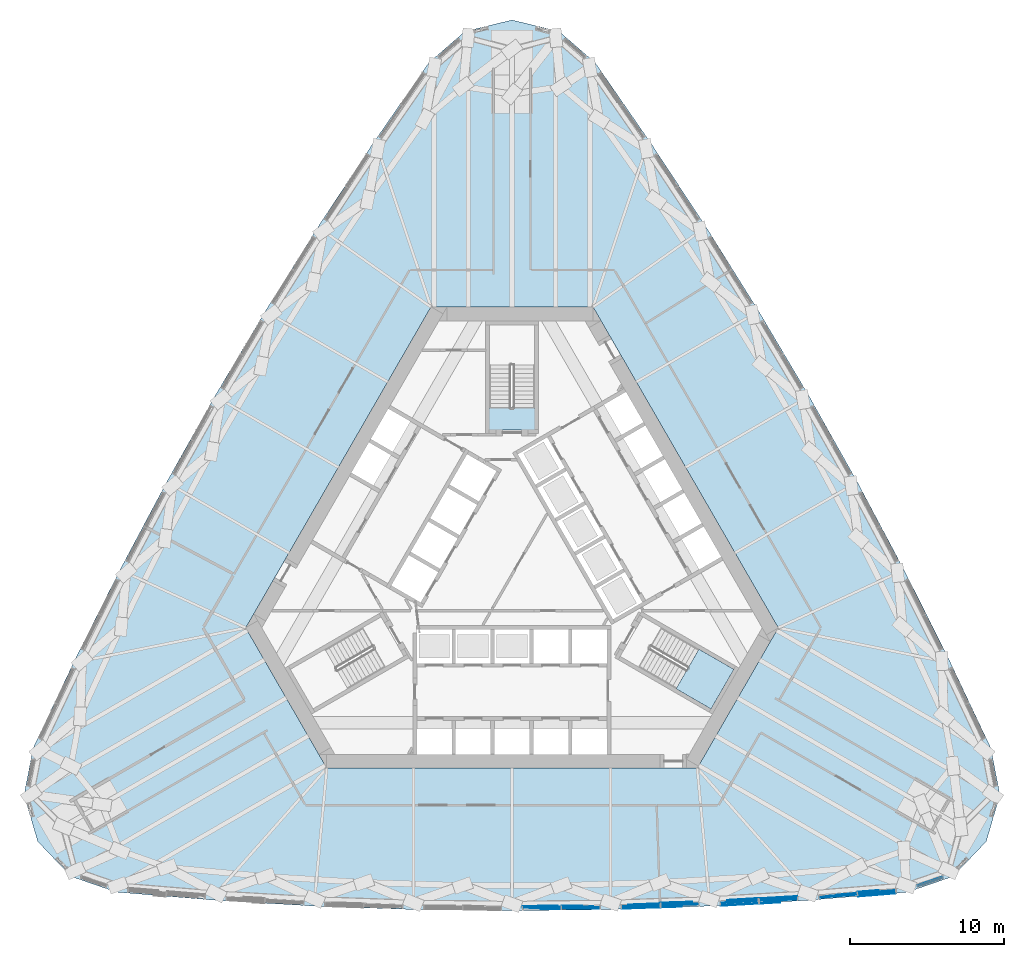
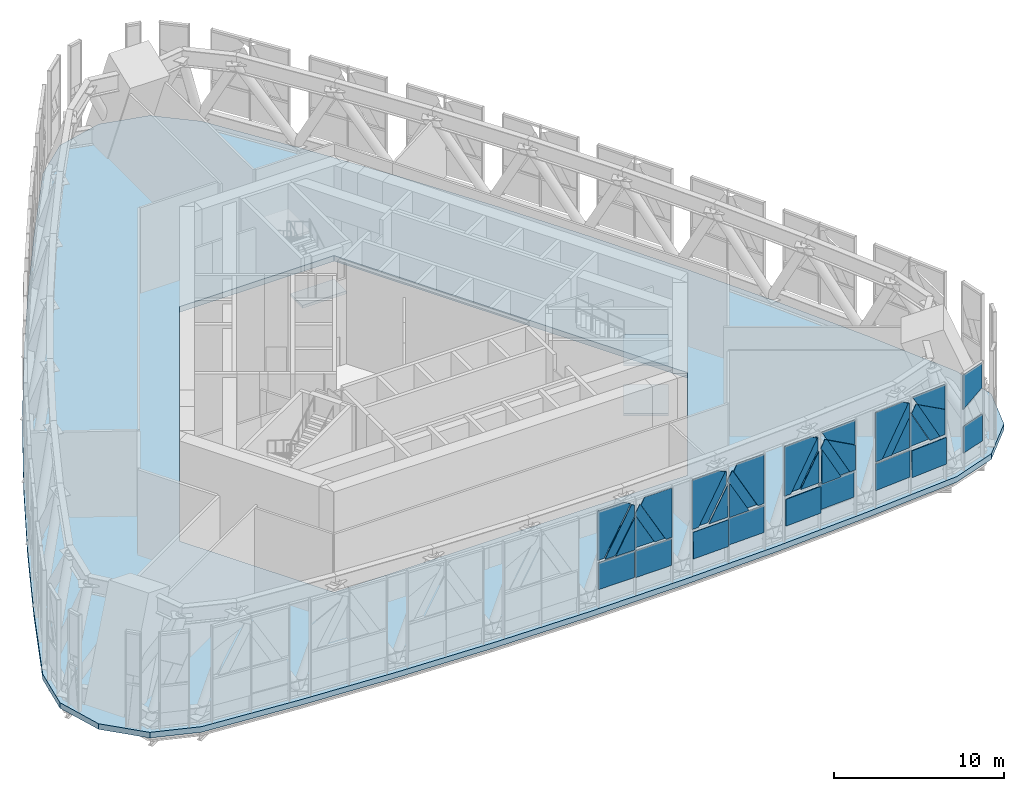
# One storey, part 14 of 33: 36 plates, 4 slabs, 4 elements without a shape of their own.
"""IFC4 building model written with IfcOpenShell, lengths in metres."""

import ifcopenshell
import ifcopenshell.guid

model = None  # the IFC model being written
_history = None  # IfcOwnerHistory: only IFC2X3 demands one
_inside = {}  # id of a spatial element -> (the spatial element, [elements in it])
_under = {}  # id of a project, library or spatial element -> (it, [spatial elements below it])
_declared = {}  # id of a project -> (the project, [libraries it declares])
_typed = {}  # id of a type object -> (the type object, [elements of that type])
_made_of = {}  # id of a material, layer set ... -> (it, [elements and type objects made of it])


def new_model(schema):
    """Start an empty IFC model of exactly this schema.

    Asked for "IFC4X3", IfcOpenShell would pick the latest addendum, in which some entities
    have other attributes; the version numbers below select the first issue.
    IFC2X3 requires an IfcOwnerHistory on every rooted entity: one is made here for all.
    """
    global model, _history
    if schema == "IFC4X3":
        model = ifcopenshell.file(schema_version=(4, 3, 0, 0))
    else:
        model = ifcopenshell.file(schema=schema)
    _inside.clear()
    _under.clear()
    _declared.clear()
    _typed.clear()
    _made_of.clear()
    _history = None
    if model.schema == "IFC2X3":
        org = make("IfcOrganization", Name="unknown")
        user = make(
            "IfcPersonAndOrganization",
            ThePerson=make("IfcPerson", FamilyName="unknown"),
            TheOrganization=org,
        )
        app = make(
            "IfcApplication",
            ApplicationDeveloper=org,
            Version="unknown",
            ApplicationFullName="unknown",
            ApplicationIdentifier="unknown",
        )
        _history = make(
            "IfcOwnerHistory",
            OwningUser=user,
            OwningApplication=app,
            ChangeAction="ADDED",
            CreationDate=0,
        )
    return model


def make(cls, **values):
    """One entity of the class cls with the attributes given. An attribute that is None is left unset."""
    return model.create_entity(
        cls, **{name: value for name, value in values.items() if value is not None}
    )


def rooted(cls, **values):
    """An entity with a GlobalId (a new one), such as an element, a storey or a relation."""
    return make(cls, GlobalId=ifcopenshell.guid.new(), OwnerHistory=_history, **values)


def si_unit(unit_type, name, prefix=None):
    """IfcSIUnit, for example si_unit("LENGTHUNIT", "METRE", prefix="MILLI")."""
    return make("IfcSIUnit", UnitType=unit_type, Prefix=prefix, Name=name)


def assignment(units):
    """IfcUnitAssignment: the units of a project."""
    return None if units is None else make("IfcUnitAssignment", Units=units)


def point(xyz):
    """IfcCartesianPoint."""
    return None if xyz is None else make("IfcCartesianPoint", Coordinates=xyz)


def direction(xyz):
    """IfcDirection."""
    return None if xyz is None else make("IfcDirection", DirectionRatios=xyz)


def frame(location, z_axis=None, x_axis=None):
    """IfcAxis2Placement3D, a coordinate frame: its origin and axes. An axis left out is left unset."""
    return make(
        "IfcAxis2Placement3D",
        Location=point(location),
        Axis=direction(z_axis),
        RefDirection=direction(x_axis),
    )


def origin():
    """The frame at (0, 0, 0) with its axes left unset."""
    return frame((0.0, 0.0, 0.0))


def place(relative_to, where):
    """IfcLocalPlacement: puts the frame where relative to a parent placement (None: the world)."""
    return make(
        "IfcLocalPlacement", PlacementRelTo=relative_to, RelativePlacement=where
    )


def context(
    kind, dimensions, precision=None, world=None, true_north=None, identifier=None
):
    """IfcGeometricRepresentationContext, for example the 3D "Model" context."""
    return make(
        "IfcGeometricRepresentationContext",
        ContextIdentifier=identifier,
        ContextType=kind,
        CoordinateSpaceDimension=dimensions,
        Precision=precision,
        WorldCoordinateSystem=world,
        TrueNorth=true_north,
    )


def subcontext(parent, identifier, kind, view, scale=None):
    """IfcGeometricRepresentationSubContext, for example "Body" below "Model"."""
    return make(
        "IfcGeometricRepresentationSubContext",
        ContextIdentifier=identifier,
        ContextType=kind,
        ParentContext=parent,
        TargetScale=scale,
        TargetView=view,
    )


def project(units=None, contexts=None):
    """IfcProject with its units and contexts."""
    return rooted(
        "IfcProject",
        Name="project",
        RepresentationContexts=contexts,
        UnitsInContext=assignment(units),
    )


def spatial(cls, under=None, at=None, **own):
    """A site, building, storey or space (cls), placed at a placement, below another one or the project."""
    s = rooted(cls, ObjectPlacement=at, **own)
    if under is not None:
        _under.setdefault(under.id(), (under, []))[1].append(s)
    return s


def polyline(points):
    """IfcPolyline through the points."""
    return make("IfcPolyline", Points=[point(p) for p in points])


def outline(outer, holes=None, kind="AREA"):
    """IfcArbitraryClosedProfileDef: a profile drawn as a closed curve; with holes, ...WithVoids."""
    if holes is None:
        return make("IfcArbitraryClosedProfileDef", ProfileType=kind, OuterCurve=outer)
    return make(
        "IfcArbitraryProfileDefWithVoids",
        ProfileType=kind,
        OuterCurve=outer,
        InnerCurves=holes,
    )


def extrude(swept, where, along, depth):
    """IfcExtrudedAreaSolid: the profile swept, set in the frame where, extruded along a direction by depth."""
    return make(
        "IfcExtrudedAreaSolid",
        SweptArea=swept,
        Position=where,
        ExtrudedDirection=direction(along),
        Depth=depth,
    )


def shape(context_of_items, identifier, shape_type, items):
    """IfcShapeRepresentation: the items that make up one representation, for example the "Body"."""
    return make(
        "IfcShapeRepresentation",
        ContextOfItems=context_of_items,
        RepresentationIdentifier=identifier,
        RepresentationType=shape_type,
        Items=items,
    )


def material(Name=None, Category=None):
    """IfcMaterial."""
    return make("IfcMaterial", Name=Name, Category=Category)


def layer(
    of_material, thickness, ventilated=None, Name=None, Category=None, Priority=None
):
    """IfcMaterialLayer: one layer of a wall or slab, of a material (None: an air gap)."""
    return make(
        "IfcMaterialLayer",
        Material=of_material,
        LayerThickness=thickness,
        IsVentilated=ventilated,
        Name=Name,
        Category=Category,
        Priority=Priority,
    )


def layer_set(layers, Name=None):
    """IfcMaterialLayerSet."""
    return make("IfcMaterialLayerSet", MaterialLayers=layers, LayerSetName=Name)


def made_of(thing, what):
    """Note that an element or type object is made of a material, layer set ...; save() writes the relation."""
    if what is not None:
        _made_of.setdefault(what.id(), (what, []))[1].append(thing)
    return thing


def type_object(cls, material=None, **own):
    """A type object (cls), such as IfcWallType, which elements share."""
    return made_of(rooted(cls, **own), material)


def element(
    cls,
    number,
    at=None,
    inside=None,
    cuts=None,
    type_object=None,
    material=None,
    context=None,
    identifier="Body",
    shape_type=None,
    held_by="IfcProductDefinitionShape",
    body=None,
    shapes=None,
    **own,
):
    """One element of the class cls, such as IfcWall. Its Tag is "e" and its number.

    at: its placement. inside: the storey or other place that contains it. cuts: it is an
    opening in that element (IfcRelVoidsElement). A single representation is given by context,
    identifier, shape_type and body (its items); several are given by shapes. held_by: the class
    of the entity that holds the representations. save() writes the other relations.
    """
    e = rooted(cls, Tag="e%d" % number, ObjectPlacement=at, **own)
    if body is not None:
        shapes = [shape(context, identifier, shape_type, body)]
    if shapes is not None:
        e.Representation = make(held_by, Representations=shapes)
    if inside is not None:
        _inside.setdefault(inside.id(), (inside, []))[1].append(e)
    if cuts is not None:
        rooted(
            "IfcRelVoidsElement", RelatingBuildingElement=cuts, RelatedOpeningElement=e
        )
    if type_object is not None:
        _typed.setdefault(type_object.id(), (type_object, []))[1].append(e)
    return made_of(e, material)


def aggregate(whole, parts):
    """IfcRelAggregates: a whole, such as a stair, and the parts it consists of."""
    return rooted("IfcRelAggregates", RelatingObject=whole, RelatedObjects=parts)


def save(model, path):
    """Write the relations noted so far, then the file.

    IfcRelAggregates (storeys below a building ...), IfcRelContainedInSpatialStructure (elements
    in a storey), IfcRelDefinesByType, IfcRelAssociatesMaterial and IfcRelDeclares: one each for
    every whole, place, type object, material and project.
    """
    for whole, parts in _under.values():
        aggregate(whole, parts)
    for where, things in _inside.values():
        rooted(
            "IfcRelContainedInSpatialStructure",
            RelatedElements=things,
            RelatingStructure=where,
        )
    for kind, things in _typed.values():
        rooted("IfcRelDefinesByType", RelatedObjects=things, RelatingType=kind)
    for what, things in _made_of.values():
        rooted("IfcRelAssociatesMaterial", RelatedObjects=things, RelatingMaterial=what)
    for by, libraries in _declared.values():
        rooted("IfcRelDeclares", RelatingContext=by, RelatedDefinitions=libraries)
    model.write(path)


model = new_model("IFC4")

# Units and contexts
model_context = context("Model", 3, precision=1e-05, world=origin(), true_north=direction((0.0, 1.0)))
body_context = subcontext(model_context, "Body", "Model", "MODEL_VIEW")
ifc_project = project(units=[si_unit("LENGTHUNIT", "METRE"), si_unit("AREAUNIT", "SQUARE_METRE"), si_unit("VOLUMEUNIT", "CUBIC_METRE"), si_unit("PLANEANGLEUNIT", "RADIAN"), si_unit("MASSUNIT", "GRAM", prefix="KILO")], contexts=[model_context])

# Site, building, storey
site_placement = place(None, origin())
site = spatial("IfcSite", under=ifc_project, at=site_placement, CompositionType="ELEMENT")
building_placement = place(site_placement, origin())
building = spatial("IfcBuilding", under=site, at=building_placement, Name="Mestral Congress Tower", CompositionType="ELEMENT")
storey_placement = place(building_placement, frame((0.0, 0.0, 134.39990234375)))
storey = spatial("IfcBuildingStorey", under=building, at=storey_placement, Name="L32", CompositionType="ELEMENT", Elevation=134.39990234375)

# Slab
ifc_material_1 = material(Name="Concrete C35/45", Category="concrete")
ifc_layer_1 = layer(ifc_material_1, 0.39990234375)
ifc_layer_set_1 = layer_set([ifc_layer_1], Name="Concrete C35/45")
slab_type_1 = type_object("IfcSlabType", Name="Composite floor slab 400", PredefinedType="FLOOR", material=ifc_layer_set_1)
slab_1_placement = place(storey_placement, frame((0.0, 0.0, -0.39990234375)))
element("IfcSlab", 1, at=slab_1_placement, inside=storey, type_object=slab_type_1, Name="SL-L32", PredefinedType="FLOOR", context=body_context, shape_type="SweptSolid", body=[
    extrude(outline(polyline([(-25.656005859375, -21.041015625), (-28.581298828125, -20.03271484375), (-30.75390625, -17.755859375), (-31.639404296875, -14.73583984375), (-31.050048828125, -11.697998046875), (-28.28759765625, -5.856689453125), (-25.412109375, -0.12744140625), (-22.403564453125, 5.533203125), (-19.263671875, 11.121826171875), (-15.99365234375, 16.635498046875), (-12.595703125, 22.0712890625), (-9.07177734375, 27.426025390625), (-5.39404296875, 32.739013671875), (-3.05810546875, 34.768310546875), (0.0, 35.51171875), (3.05810546875, 34.768310546875), (5.39404296875, 32.739013671875), (9.07177734375, 27.426025390625), (12.595703125, 22.0712890625), (15.99365234375, 16.635498046875), (19.263671875, 11.121826171875), (22.403564453125, 5.533203125), (25.412109375, -0.12744140625), (28.28759765625, -5.856689453125), (31.050048828125, -11.697998046875), (31.639404296875, -14.73583984375), (30.75390625, -17.755859375), (28.581298828125, -20.03271484375), (25.656005859375, -21.041015625), (19.2158203125, -21.5693359375), (12.81640625, -21.94384765625), (6.409912109375, -22.168701171875), (0.0, -22.24365234375), (-6.409912109375, -22.168701171875), (-12.81640625, -21.94384765625), (-19.2158203125, -21.5693359375), (-25.656005859375, -21.041015625)]), holes=[polyline([(-5.25390625, 16.89990234375), (-17.2626953125, -3.89990234375), (-12.0087890625, -13.0), (12.0087890625, -13.0), (17.2626953125, -3.89990234375), (5.25390625, 16.89990234375), (-5.25390625, 16.89990234375)])]), origin(), (0.0, 0.0, 1.0), 0.39990234375),
])

# Stair, slabs
ifc_material_2 = material(Name="Concrete C60/75", Category="concrete")
stair_type = type_object("IfcStairType", Name="Exit stair 1400", PredefinedType="HALF_TURN_STAIR", material=ifc_material_2)
placement = place(storey_placement, origin())
stair_1 = element("IfcStair", 2, at=placement, inside=storey, type_object=stair_type, Name="L32 ST1", PredefinedType="HALF_TURN_STAIR")
ifc_layer_2 = layer(ifc_material_2, 0.199951171875)
ifc_layer_set_2 = layer_set([ifc_layer_2], Name="Concrete C60/75")
slab_type_2 = type_object("IfcSlabType", Name="Exit stair landing 200", PredefinedType="LANDING", material=ifc_layer_set_2)
slab_2_placement = place(storey_placement, frame((0.0, 0.0, 1.60009765625)))
slab_2 = element("IfcSlab", 3, at=slab_2_placement, type_object=slab_type_2, Name="ST1 landing 1", PredefinedType="LANDING", context=body_context, shape_type="SweptSolid", body=[
    extrude(outline(polyline([(10.63720703125, -7.85595703125), (12.1220703125, -5.283935546875), (14.39111328125, -6.593994140625), (12.906005859375, -9.166015625), (10.63720703125, -7.85595703125)])), origin(), (0.0, 0.0, 1.0), 0.199951171875),
])
slab_3_placement = place(storey_placement, frame((0.0, 0.0, 5.2001953125)))
slab_3 = element("IfcSlab", 4, at=slab_3_placement, type_object=slab_type_2, Name="ST1 landing 3", PredefinedType="LANDING", context=body_context, shape_type="SweptSolid", body=[
    extrude(outline(polyline([(10.63720703125, -7.85595703125), (12.1220703125, -5.283935546875), (14.39111328125, -6.593994140625), (12.906005859375, -9.166015625), (10.63720703125, -7.85595703125)])), origin(), (0.0, 0.0, 1.0), 0.199951171875),
])
aggregate(stair_1, [slab_2, slab_3])

# Stair, slab
stair_2 = element("IfcStair", 5, at=placement, inside=storey, type_object=stair_type, Name="L32 ST2", PredefinedType="HALF_TURN_STAIR")
slab_4_placement = place(storey_placement, frame((0.0, 0.0, 3.400146484375)))
slab_4 = element("IfcSlab", 6, at=slab_4_placement, type_object=slab_type_2, Name="ST2 landing 2", PredefinedType="LANDING", context=body_context, shape_type="SweptSolid", body=[
    extrude(outline(polyline([(1.485107421875, 8.93994140625), (-1.485107421875, 8.93994140625), (-1.485107421875, 10.360107421875), (1.485107421875, 10.360107421875), (1.485107421875, 8.93994140625)])), origin(), (0.0, 0.0, 1.0), 0.199951171875),
])
aggregate(stair_2, [slab_4])

# Curtain wall, plates
ifc_material_3 = material(Name="Clear low-emissivity double glazing", Category="glass")
curtain_wall_type = type_object("IfcCurtainWallType", Name="Facade sky lobby curtain wall", PredefinedType="USERDEFINED", material=ifc_material_3)
curtain_wall_1 = element("IfcCurtainWall", 7, at=placement, inside=storey, type_object=curtain_wall_type, Name="Facade sky lobby curtain wall face 1", ObjectType="CURTAIN WALL", PredefinedType="USERDEFINED")
ifc_material_4 = material(Name="Anodised aluminium", Category="aluminium")
ifc_layer_3 = layer(ifc_material_4, 0.031982421875)
ifc_layer_set_3 = layer_set([ifc_layer_3], Name="Anodised aluminium")
plate_type_1 = type_object("IfcPlateType", Name="Facade sky lobby curtain wall brace cover panel", PredefinedType="CURTAIN_PANEL", material=ifc_layer_set_3)
plate_1_placement = place(storey_placement, frame((3.1728515625, -22.023193359375, 3.130126953125), z_axis=(0.01171016916, -0.999929359775, 0.002036516008), x_axis=(0.0, -0.002036655654, -0.999997926015)))
plate_1 = element("IfcPlate", 8, at=plate_1_placement, type_object=plate_type_1, Name="Facade sky lobby curtain wall brace cover panel", PredefinedType="CURTAIN_PANEL", context=body_context, shape_type="SweptSolid", body=[
    extrude(outline(polyline([(0.0, 0.0), (1.917972727847199, 6.776263578034403e-21), (1.9180314010325379, -2.4601296196861635), (5.8673185338901675e-05, -2.460129619686164), (0.0, 0.0)])), origin(), (0.0, 0.0, -1.0), 0.031982421875),
])
plate_2_placement = place(storey_placement, frame((3.17333984375, -22.068115234375, 5.637451171875), z_axis=(0.011839260048, -0.999928101255, 0.001903744004), x_axis=(-0.487814195453, -0.007437702094, -0.872915798518)))
plate_2 = element("IfcPlate", 9, at=plate_2_placement, type_object=plate_type_1, Name="Facade sky lobby curtain wall brace cover panel", PredefinedType="CURTAIN_PANEL", context=body_context, shape_type="SweptSolid", body=[
    extrude(outline(polyline([(0.0, 0.0), (2.7120964239896153, 0.0), (3.0581299004696865, -0.6191403832548634), (-0.6965880163832485, -0.619212377253272), (-0.6964681288498177, -0.38923181282277775), (0.0, 0.0)])), origin(), (0.0, 0.0, -1.0), 0.031982421875),
])
plate_3_placement = place(storey_placement, frame((5.693359375, -22.043701171875, 3.130126953125), z_axis=(0.01171016916, -0.999929359775, 0.002036516008), x_axis=(0.0, -0.002036655654, -0.999997926015)))
plate_3 = element("IfcPlate", 10, at=plate_3_placement, type_object=plate_type_1, Name="Facade sky lobby curtain wall brace cover panel", PredefinedType="CURTAIN_PANEL", context=body_context, shape_type="SweptSolid", body=[
    extrude(outline(polyline([(0.0, 0.0), (1.917972727847199, 6.776263578034403e-21), (1.9180314010325379, -2.4601296196861635), (5.8673185338901675e-05, -2.460129619686164), (0.0, 0.0)])), origin(), (0.0, 0.0, -1.0), 0.031982421875),
])
plate_4_placement = place(storey_placement, frame((5.277099609375, -22.002197265625, 3.27001953125), z_axis=(0.011774441155, -0.999928658609, 0.002010031704), x_axis=(-0.999930678587, -0.011774464734, 1.02785e-07)))
plate_4 = element("IfcPlate", 11, at=plate_4_placement, type_object=plate_type_1, Name="Facade sky lobby curtain wall brace cover panel", PredefinedType="CURTAIN_PANEL", context=body_context, shape_type="SweptSolid", body=[
    extrude(outline(polyline([(0.0, 0.0), (0.708056469654384, 0.0), (2.0442750902926408, -2.4116256267901686), (2.044272222166821, -2.47485841162503), (1.706344715251459, -3.079595860597033), (0.0, 0.0)])), origin(), (0.0, 0.0, -1.0), 0.031982421875),
])
plate_5_placement = place(storey_placement, frame((9.58251953125, -22.033935546875, 3.130126953125), z_axis=(0.035079112972, -0.999382593331, 0.001971796104), x_axis=(-2.231249e-06, -0.001973088735, -0.999998053456)))
plate_5 = element("IfcPlate", 12, at=plate_5_placement, type_object=plate_type_1, Name="Facade sky lobby curtain wall brace cover panel", PredefinedType="CURTAIN_PANEL", context=body_context, shape_type="SweptSolid", body=[
    extrude(outline(polyline([(0.0, 0.0), (1.9179727239673818, -2.710505431213761e-20), (1.9181482540530035, -2.460250143709308), (0.00017601179673858188, -2.4602587079281286), (0.0, 0.0)])), origin(), (0.0, 0.0, -1.0), 0.031982421875),
])
plate_6_placement = place(storey_placement, frame((9.574462890625, -21.811279296875, 5.593017578125), z_axis=(0.035065451737, -0.999383049799, 0.001983398407), x_axis=(-0.490647192181, -0.018944295341, -0.871152366971)))
plate_6 = element("IfcPlate", 13, at=plate_6_placement, type_object=plate_type_1, Name="Facade sky lobby curtain wall brace cover panel", PredefinedType="CURTAIN_PANEL", context=body_context, shape_type="SweptSolid", body=[
    extrude(outline(polyline([(0.0, 0.0), (2.666580699160476, 0.0), (3.015752157794363, -0.6195034052503479), (-0.7496438969160104, -0.61958419779005), (-0.7495296756035658, -0.42238962713485106), (0.0, 0.0)])), origin(), (0.0, 0.0, -1.0), 0.031982421875),
])
plate_7_placement = place(storey_placement, frame((12.09716796875, -21.835693359375, 3.130126953125), z_axis=(0.035079112663, -0.999382584522, 0.001976261351), x_axis=(0.000125059729, -0.00197308872, -0.999998045639)))
plate_7 = element("IfcPlate", 14, at=plate_7_placement, type_object=plate_type_1, Name="Facade sky lobby curtain wall brace cover panel", PredefinedType="CURTAIN_PANEL", context=body_context, shape_type="SweptSolid", body=[
    extrude(outline(polyline([(0.0, 0.0), (1.917972739505831, -6.776263578034403e-20), (1.9178352941419605, -2.4602501461317408), (-0.00013696365275727996, -2.460258710411833), (0.0, 0.0)])), origin(), (0.0, 0.0, -1.0), 0.031982421875),
])
plate_8_placement = place(storey_placement, frame((11.688720703125, -21.69775390625, 3.27001953125), z_axis=(0.034853959912, -0.999390688929, 0.001858052658), x_axis=(-0.999392414062, -0.034854020078, -8.92e-10)))
plate_8 = element("IfcPlate", 15, at=plate_8_placement, type_object=plate_type_1, Name="Facade sky lobby curtain wall brace cover panel", PredefinedType="CURTAIN_PANEL", context=body_context, shape_type="SweptSolid", body=[
    extrude(outline(polyline([(0.0, 0.0), (0.7074611052614842, 1.3552527156068805e-20), (2.0494268424198228, -2.442875312424555), (1.6910136346864477, -3.078374455335179), (0.0, 0.0)])), origin(), (0.0, 0.0, -1.0), 0.031982421875),
])
plate_9_placement = place(storey_placement, frame((15.98779296875, -21.787109375, 3.130126953125), z_axis=(0.058401945503, -0.998291199306, 0.001973359797), x_axis=(0.000130784598, -0.001969082649, -0.999998052803)))
plate_9 = element("IfcPlate", 16, at=plate_9_placement, type_object=plate_type_1, Name="Facade sky lobby curtain wall brace cover panel", PredefinedType="CURTAIN_PANEL", context=body_context, shape_type="SweptSolid", body=[
    extrude(outline(polyline([(0.0, 0.0), (1.9179722582620216, -2.710505431213761e-20), (1.9179341959146796, -2.460260700890973), (-3.8511150577010954e-05, -2.4600027186568387), (0.0, 0.0)])), origin(), (0.0, 0.0, -1.0), 0.031982421875),
])
plate_10_placement = place(storey_placement, frame((15.96923828125, -21.46875, 5.547119140625), z_axis=(0.058622236765, -0.998278326943, 0.001953282314), x_axis=(-0.493323471921, -0.030670528175, -0.869305050459)))
plate_10 = element("IfcPlate", 17, at=plate_10_placement, type_object=plate_type_1, Name="Facade sky lobby curtain wall brace cover panel", PredefinedType="CURTAIN_PANEL", context=body_context, shape_type="SweptSolid", body=[
    extrude(outline(polyline([(0.0, 0.0), (2.6194482290715806, 2.220446049250313e-16), (2.9722939016436243, -0.6205705699631736), (-0.8063159642785381, -0.6203742775148372), (-0.8064236407464136, -0.45866745406217196), (0.0, 0.0)])), origin(), (0.0, 0.0, -1.0), 0.031982421875),
])
plate_11_placement = place(storey_placement, frame((18.486083984375, -21.338134765625, 3.130126953125), z_axis=(0.058448492268, -0.998288339933, 0.00204061379), x_axis=(0.000127290977, -0.002036655637, -0.999997917913)))
plate_11 = element("IfcPlate", 18, at=plate_11_placement, type_object=plate_type_1, Name="Facade sky lobby curtain wall brace cover panel", PredefinedType="CURTAIN_PANEL", context=body_context, shape_type="SweptSolid", body=[
    extrude(outline(polyline([(0.0, 0.0), (1.9179727433856482, -2.0328790734103208e-20), (1.9179529784780354, -2.460260703781247), (-1.976490761293687e-05, -2.4602607037812465), (0.0, 0.0)])), origin(), (0.0, 0.0, -1.0), 0.031982421875),
])
plate_12_placement = place(storey_placement, frame((17.39892578125, -21.5458984375, 3.27001953125), z_axis=(0.05856731922, -0.998281289606, 0.002082292236), x_axis=(-0.477358341012, -0.02617366683, 0.8783188222)))
plate_12 = element("IfcPlate", 19, at=plate_12_placement, type_object=plate_type_1, Name="Facade sky lobby curtain wall brace cover panel", PredefinedType="CURTAIN_PANEL", context=body_context, shape_type="SweptSolid", body=[
    extrude(outline(polyline([(0.0, 0.0), (2.7801915415287635, 0.0), (3.10526008066344, -0.5242301281001556), (2.9491521645960157, -0.6210608384945356), (-0.3381274037033798, -0.621213045825655), (0.0, 0.0)])), origin(), (0.0, 0.0, -1.0), 0.031982421875),
])
plate_13_placement = place(storey_placement, frame((22.37548828125, -21.21044921875, 3.130126953125), z_axis=(0.081765695139, -0.996649491297, 0.002040244088), x_axis=(0.000127290977, -0.002036655637, -0.999997917913)))
plate_13 = element("IfcPlate", 20, at=plate_13_placement, type_object=plate_type_1, Name="Facade sky lobby curtain wall brace cover panel", PredefinedType="CURTAIN_PANEL", context=body_context, shape_type="SweptSolid", body=[
    extrude(outline(polyline([(0.0, 0.0), (1.9179727433856482, -1.3552527156068805e-20), (1.9180704491553575, -2.463326409889145), (9.770576970923516e-05, -2.463326409889146), (0.0, 0.0)])), origin(), (0.0, 0.0, -1.0), 0.031982421875),
])
plate_14_placement = place(storey_placement, frame((22.372314453125, -21.171875, 5.504638671875), z_axis=(0.081539881299, -0.996667852575, 0.002106988821), x_axis=(-0.495960405915, -0.042409276748, -0.867308900571)))
plate_14 = element("IfcPlate", 21, at=plate_14_placement, type_object=plate_type_1, Name="Facade sky lobby curtain wall brace cover panel", PredefinedType="CURTAIN_PANEL", context=body_context, shape_type="SweptSolid", body=[
    extrude(outline(polyline([(0.0, 0.0), (2.5764976776054875, 2.220446049250313e-16), (2.9331431865030924, -0.6214206638584117), (-0.8614443287014734, -0.6212920930111498), (-0.8613417776689698, -0.49443812099592044), (0.0, 0.0)])), origin(), (0.0, 0.0, -1.0), 0.031982421875),
])
plate_15_placement = place(storey_placement, frame((24.900390625, -21.125732421875, 3.130126953125), z_axis=(0.081765695139, -0.996649491297, 0.002040244088), x_axis=(0.000127290977, -0.002036655637, -0.999997917913)))
plate_15 = element("IfcPlate", 22, at=plate_15_placement, type_object=plate_type_1, Name="Facade sky lobby curtain wall brace cover panel", PredefinedType="CURTAIN_PANEL", context=body_context, shape_type="SweptSolid", body=[
    extrude(outline(polyline([(0.0, 0.0), (1.9179727433856482, -1.3552527156068805e-20), (1.9180704491553575, -2.463326409889145), (9.770576970923516e-05, -2.463326409889146), (0.0, 0.0)])), origin(), (0.0, 0.0, -1.0), 0.031982421875),
])
plate_16_placement = place(storey_placement, frame((23.8046875, -21.093017578125, 3.27001953125), z_axis=(0.081958324449, -0.996633554829, 0.002095338244), x_axis=(-0.473055810699, -0.037051164474, 0.880253038152)))
plate_16 = element("IfcPlate", 23, at=plate_16_placement, type_object=plate_type_1, Name="Facade sky lobby curtain wall brace cover panel", PredefinedType="CURTAIN_PANEL", context=body_context, shape_type="SweptSolid", body=[
    extrude(outline(polyline([(0.0, 0.0), (2.77297297035363, 0.0), (3.1016741887187367, -0.5298869213298733), (2.953671790777186, -0.6217934487644635), (-0.33522316504759975, -0.6218781002633477), (0.0, 0.0)])), origin(), (0.0, 0.0, -1.0), 0.031982421875),
])

# Curtain wall, plate
curtain_wall_2 = element("IfcCurtainWall", 24, at=placement, inside=storey, type_object=curtain_wall_type, Name="Facade sky lobby curtain wall corner 1", ObjectType="CURTAIN WALL", PredefinedType="USERDEFINED")
plate_17_placement = place(storey_placement, frame((27.927978515625, -20.11669921875, 3.130126953125), z_axis=(0.325994450892, -0.94536954027, 0.002012540142), x_axis=(0.000636454923, -0.001909364768, -0.999997974624)))
plate_17 = element("IfcPlate", 25, at=plate_17_placement, type_object=plate_type_1, Name="Facade sky lobby curtain wall brace cover panel", PredefinedType="CURTAIN_PANEL", context=body_context, shape_type="SweptSolid", body=[
    extrude(outline(polyline([(0.0, 0.0), (1.9179726346164996, -4.0657581468206416e-19), (1.9180079068985953, -1.6992741889964562), (3.527228209572182e-05, -1.6992741889964562), (0.0, 0.0)])), origin(), (0.0, 0.0, -1.0), 0.031982421875),
])

# Plate
ifc_layer_4 = layer(ifc_material_3, 0.031982421875)
ifc_layer_set_4 = layer_set([ifc_layer_4], Name="Clear low-emissivity double glazing")
plate_type_2 = type_object("IfcPlateType", Name="Facade sky lobby curtain wall panel", PredefinedType="CURTAIN_PANEL", material=ifc_layer_set_4)
plate_18_placement = place(storey_placement, frame((3.174072265625, -22.135009765625, 3.27001953125), z_axis=(0.011624950909, -0.999930301186, 0.002062349801), x_axis=(-0.999932427688, -0.011624975631, 0.0)))
plate_18 = element("IfcPlate", 26, at=plate_18_placement, type_object=plate_type_2, Name="Sky lobby glass unit", PredefinedType="CURTAIN_PANEL", context=body_context, shape_type="SweptSolid", body=[
    extrude(outline(polyline([(0.0, 0.0), (1.3230874509533292, 0.0), (-5.67625763231892e-05, -2.36743667532382), (0.0, 0.0)])), origin(), (0.0, 0.0, -1.0), 0.031982421875),
])

plate_19_placement = place(storey_placement, frame((2.971435546875, -21.956787109375, 6.547607421875), z_axis=(0.011729696466, -0.999929224941, 0.001989806495), x_axis=(-0.487797207665, -0.007459193157, -0.872925108261)))
plate_19 = element("IfcPlate", 27, at=plate_19_placement, type_object=plate_type_2, Name="Sky lobby glass unit", PredefinedType="CURTAIN_PANEL", context=body_context, shape_type="SweptSolid", body=[
    extrude(outline(polyline([(0.0, 0.0), (3.7547179146290226, -2.220446049250313e-16), (3.963403791309943, -0.3734075174811622), (0.8732810888750699, -2.1005636868981403), (6.75097729602725e-05, -0.5380961692859348), (0.0, 0.0)])), origin(), (0.0, 0.0, -1.0), 0.031982421875),
])

plate_20_placement = place(storey_placement, frame((5.694091796875, -22.098388671875, 6.81005859375), z_axis=(0.01174835748, -0.999928898734, 0.002042932432), x_axis=(5.06055e-07, -0.002043067488, -0.999997912935)))
plate_20 = element("IfcPlate", 28, at=plate_20_placement, type_object=plate_type_2, Name="Sky lobby glass unit", PredefinedType="CURTAIN_PANEL", context=body_context, shape_type="SweptSolid", body=[
    extrude(outline(polyline([(0.0, 0.0), (3.5400461392869147, -1.3552527156068805e-20), (3.5400559047990625, -0.4158001550952587), (0.4605000562299692, -2.1222170742436606), (4.344915938333556e-05, -1.8648726734002234), (0.0, 0.0)])), origin(), (0.0, 0.0, -1.0), 0.031982421875),
])

plate_21_placement = place(storey_placement, frame((3.232177734375, -21.96826171875, 3.27001953125), z_axis=(0.011692946004, -0.999929585609, 0.002024558788), x_axis=(0.0, 0.002024697207, 0.999997950299)))
plate_21 = element("IfcPlate", 29, at=plate_21_placement, type_object=plate_type_2, Name="Sky lobby glass unit", PredefinedType="CURTAIN_PANEL", context=body_context, shape_type="SweptSolid", body=[
    extrude(outline(polyline([(0.0, 0.0), (2.4116260368634803, 0.0), (3.163589385182066e-05, -1.3362729947011154), (0.0, 0.0)])), origin(), (0.0, 0.0, -1.0), 0.031982421875),
])

plate_22_placement = place(storey_placement, frame((9.57958984375, -21.957763671875, 3.27001953125), z_axis=(0.035239223247, -0.999376913239, 0.001995602875), x_axis=(-0.999378903219, -0.035239293416, 0.0)))
plate_22 = element("IfcPlate", 30, at=plate_22_placement, type_object=plate_type_2, Name="Sky lobby glass unit", PredefinedType="CURTAIN_PANEL", context=body_context, shape_type="SweptSolid", body=[
    extrude(outline(polyline([(0.0, 0.0), (1.3094070184839717, -1.3552527156068805e-20), (-0.00016346351926251553, -2.3230026724783395), (0.0, 0.0)])), origin(), (0.0, 0.0, -1.0), 0.031982421875),
])

plate_23_placement = place(storey_placement, frame((9.406494140625, -21.92333984375, 6.55029296875), z_axis=(0.035004162438, -0.999385160717, 0.00200228651), x_axis=(-0.490628989489, -0.018930013542, -0.871162929227)))
plate_23 = element("IfcPlate", 31, at=plate_23_placement, type_object=plate_type_2, Name="Sky lobby glass unit", PredefinedType="CURTAIN_PANEL", context=body_context, shape_type="SweptSolid", body=[
    extrude(outline(polyline([(0.0, 0.0), (3.765396055790701, -2.220446049250313e-16), (3.9811758758454956, -0.3828579005851196), (0.8973306155402268, -2.1211977236409774), (2.711604861721506e-05, -0.529113117496132), (0.0, 0.0)])), origin(), (0.0, 0.0, -1.0), 0.031982421875),
])

plate_24_placement = place(storey_placement, frame((12.09619140625, -21.8125, 6.81005859375), z_axis=(0.034930328406, -0.999387840975, 0.001953322433), x_axis=(0.000136174771, -0.001949755633, -0.999998089953)))
plate_24 = element("IfcPlate", 32, at=plate_24_placement, type_object=plate_type_2, Name="Sky lobby glass unit", PredefinedType="CURTAIN_PANEL", context=body_context, shape_type="SweptSolid", body=[
    extrude(outline(polyline([(0.0, 0.0), (3.5400461717723686, -8.131516293641283e-20), (3.54001838255119, -0.403560276256544), (0.4615287323010225, -2.0943641815735763), (-0.00012441758939689602, -1.8341320559557721), (0.0, 0.0)])), origin(), (0.0, 0.0, -1.0), 0.031982421875),
])

plate_25_placement = place(storey_placement, frame((9.64990234375, -22.034423828125, 5.712890625), z_axis=(0.035241820189, -0.999376829309, 0.001991770818), x_axis=(0.481235406732, 0.015223392584, -0.876459201347)))
plate_25 = element("IfcPlate", 33, at=plate_25_placement, type_object=plate_type_2, Name="Sky lobby glass unit", PredefinedType="CURTAIN_PANEL", context=body_context, shape_type="SweptSolid", body=[
    extrude(outline(polyline([(0.0, 0.0), (2.787205014692418, -2.220446049250313e-16), (2.137474124812602, -1.1827525000035155), (0.008119265546932267, -0.01310962340376888), (0.0, 0.0)])), origin(), (0.0, 0.0, -1.0), 0.031982421875),
])

plate_26_placement = place(storey_placement, frame((15.976318359375, -21.593017578125, 3.27001953125), z_axis=(0.058456600422, -0.998287879473, 0.002033608846), x_axis=(-0.998289943721, -0.058456721298, 0.0)))
plate_26 = element("IfcPlate", 34, at=plate_26_placement, type_object=plate_type_2, Name="Sky lobby glass unit", PredefinedType="CURTAIN_PANEL", context=body_context, shape_type="SweptSolid", body=[
    extrude(outline(polyline([(0.0, 0.0), (1.2946944691559996, 0.0), (-0.00027116154899148624, -2.2771043179362596), (0.0, 0.0)])), origin(), (0.0, 0.0, -1.0), 0.031982421875),
])

plate_27_placement = place(storey_placement, frame((15.83740234375, -21.626708984375, 6.5546875), z_axis=(0.058428258274, -0.998289558128, 0.002024047343), x_axis=(-0.493370581946, -0.030638652158, -0.869279438307)))
plate_27 = element("IfcPlate", 35, at=plate_27_placement, type_object=plate_type_2, Name="Sky lobby glass unit", PredefinedType="CURTAIN_PANEL", context=body_context, shape_type="SweptSolid", body=[
    extrude(outline(polyline([(0.0, 0.0), (3.7786098749637897, 0.0), (4.001771756972092, -0.3924407019651175), (0.9245125686896998, -2.142412934133776), (-0.00017436917024496457, -0.5163078071408569), (0.0, 0.0)])), origin(), (0.0, 0.0, -1.0), 0.031982421875),
])

plate_28_placement = place(storey_placement, frame((18.4921875, -21.4443359375, 5.041748046875), z_axis=(0.058354721556, -0.998294069179, 0.001917788777), x_axis=(-0.867864606273, -0.049780956564, 0.494300396057)))
plate_28 = element("IfcPlate", 36, at=plate_28_placement, type_object=plate_type_2, Name="Sky lobby glass unit", PredefinedType="CURTAIN_PANEL", context=body_context, shape_type="SweptSolid", body=[
    extrude(outline(polyline([(0.0, 0.0), (2.256681548126522, 0.0), (2.8884239487863015, -0.3917700880879411), (0.874118334925508, -1.537156812955894), (0.0, 0.0)])), origin(), (0.0, 0.0, -1.0), 0.031982421875),
])

plate_29_placement = place(storey_placement, frame((18.10693359375, -21.538330078125, 3.27001953125), z_axis=(0.058312285129, -0.998296561937, 0.001910975559), x_axis=(-0.477397274129, -0.026204359857, 0.878296746082)))
plate_29 = element("IfcPlate", 37, at=plate_29_placement, type_object=plate_type_2, Name="Sky lobby glass unit", PredefinedType="CURTAIN_PANEL", context=body_context, shape_type="SweptSolid", body=[
    extrude(outline(polyline([(0.0, 0.0), (3.287279574291879, 0.0), (1.369634854700316, -1.1896429458704694), (-0.18649552190002344, -0.3425939953588655), (0.0, 0.0)])), origin(), (0.0, 0.0, -1.0), 0.031982421875),
])

plate_30_placement = place(storey_placement, frame((16.081787109375, -21.788330078125, 5.7119140625), z_axis=(0.058299105638, -0.99829716504, 0.001996135088), x_axis=(0.477361419692, 0.026120980743, -0.878318717411)))
plate_30 = element("IfcPlate", 38, at=plate_30_placement, type_object=plate_type_2, Name="Sky lobby glass unit", PredefinedType="CURTAIN_PANEL", context=body_context, shape_type="SweptSolid", body=[
    extrude(outline(polyline([(0.0, 0.0), (2.7801915383918083, -2.220446049250313e-16), (2.128616677145564, -1.1970820327553697), (0.0359732921307395, -0.05800366228450557), (0.0, 0.0)])), origin(), (0.0, 0.0, -1.0), 0.031982421875),
])

plate_31_placement = place(storey_placement, frame((19.92041015625, -21.41162109375, 3.27001953125), z_axis=(0.081792445796, -0.996647385721, 0.001996082744), x_axis=(-0.000205740032, 0.001985908771, 0.999998006917)))
plate_31 = element("IfcPlate", 39, at=plate_31_placement, type_object=plate_type_2, Name="Sky lobby glass unit", PredefinedType="CURTAIN_PANEL", context=body_context, shape_type="SweptSolid", body=[
    extrude(outline(polyline([(0.0, 0.0), (3.5400462179850467, -8.131516293641283e-20), (3.539964372391288, -1.9195158967679775), (3.2909218070354047, -2.3532851612655645), (-1.9599934728145132e-05, -0.46445479812133006), (0.0, 0.0)])), origin(), (0.0, 0.0, -1.0), 0.031982421875),
])

plate_32_placement = place(storey_placement, frame((22.369873046875, -21.142333984375, 3.27001953125), z_axis=(0.08184805736, -0.996642856601, 0.001977850708), x_axis=(-0.996644805987, -0.081848217451, 0.0)))
plate_32 = element("IfcPlate", 40, at=plate_32_placement, type_object=plate_type_2, Name="Sky lobby glass unit", PredefinedType="CURTAIN_PANEL", context=body_context, shape_type="SweptSolid", body=[
    extrude(outline(polyline([(0.0, 0.0), (1.2826237640746672, 0.0), (0.00012695842232725665, -2.2346235114337847), (0.0, 0.0)])), origin(), (0.0, 0.0, -1.0), 0.031982421875),
])

plate_33_placement = place(storey_placement, frame((24.88623046875, -20.954345703125, 5.0498046875), z_axis=(0.081756355683, -0.996650380235, 0.001979364042), x_axis=(-0.864504417171, -0.069927759105, 0.497737100484)))
plate_33 = element("IfcPlate", 41, at=plate_33_placement, type_object=plate_type_2, Name="Sky lobby glass unit", PredefinedType="CURTAIN_PANEL", context=body_context, shape_type="SweptSolid", body=[
    extrude(outline(polyline([(0.0, 0.0), (2.240609067917916, 0.0), (2.8632603553013736, -0.38636350919488693), (0.8761157251661486, -1.5267373020170554), (0.0, 0.0)])), origin(), (0.0, 0.0, -1.0), 0.031982421875),
])

plate_34_placement = place(storey_placement, frame((24.508056640625, -21.025146484375, 3.27001953125), z_axis=(0.081794141561, -0.996647166521, 0.002035650183), x_axis=(-0.473080487493, -0.037027497106, 0.880240772068)))
plate_34 = element("IfcPlate", 42, at=plate_34_placement, type_object=plate_type_2, Name="Sky lobby glass unit", PredefinedType="CURTAIN_PANEL", context=body_context, shape_type="SweptSolid", body=[
    extrude(outline(polyline([(0.0, 0.0), (3.288894956795666, 2.220446049250313e-16), (1.3850541150675144, -1.1814055382234874), (-0.18156524440754615, -0.3368035885530419), (0.0, 0.0)])), origin(), (0.0, 0.0, -1.0), 0.031982421875),
])

plate_35_placement = place(storey_placement, frame((22.48095703125, -21.048095703125, 5.7109375), z_axis=(0.081814406397, -0.996645477912, 0.002047990078), x_axis=(0.473058005187, 0.037024409707, -0.880252984553)))
plate_35 = element("IfcPlate", 43, at=plate_35_placement, type_object=plate_type_2, Name="Sky lobby glass unit", PredefinedType="CURTAIN_PANEL", context=body_context, shape_type="SweptSolid", body=[
    extrude(outline(polyline([(0.0, 0.0), (2.7729729682413606, 2.220446049250313e-16), (2.120891996079163, -1.2096863113460443), (0.061832066192515786, -0.09984935154496677), (0.0, 0.0)])), origin(), (0.0, 0.0, -1.0), 0.031982421875),
])

aggregate(curtain_wall_1, [plate_1, plate_18, plate_19, plate_2, plate_3, plate_20, plate_21, plate_4, plate_5, plate_22, plate_23, plate_6, plate_7, plate_24, plate_25, plate_8, plate_9, plate_26, plate_27, plate_10, plate_11, plate_28, plate_29, plate_30, plate_12, plate_13, plate_31, plate_32, plate_14, plate_15, plate_33, plate_34, plate_35, plate_16])

plate_36_placement = place(storey_placement, frame((26.30810546875, -20.631591796875, 6.81005859375), z_axis=(0.325960230796, -0.945381410566, 0.001979013944), x_axis=(0.945383261816, 0.325960869243, 7.1681e-08)))
plate_36 = element("IfcPlate", 44, at=plate_36_placement, type_object=plate_type_2, Name="Sky lobby glass unit", PredefinedType="CURTAIN_PANEL", context=body_context, shape_type="SweptSolid", body=[
    extrude(outline(polyline([(0.0, 0.0), (1.699274188247883, 0.0), (1.6993139672640294, -1.8027380270196138), (-0.00012736511557256207, -2.48828600087198), (0.0, 0.0)])), origin(), (0.0, 0.0, -1.0), 0.031982421875),
])

aggregate(curtain_wall_2, [plate_17, plate_36])

save(model, "model.ifc")
